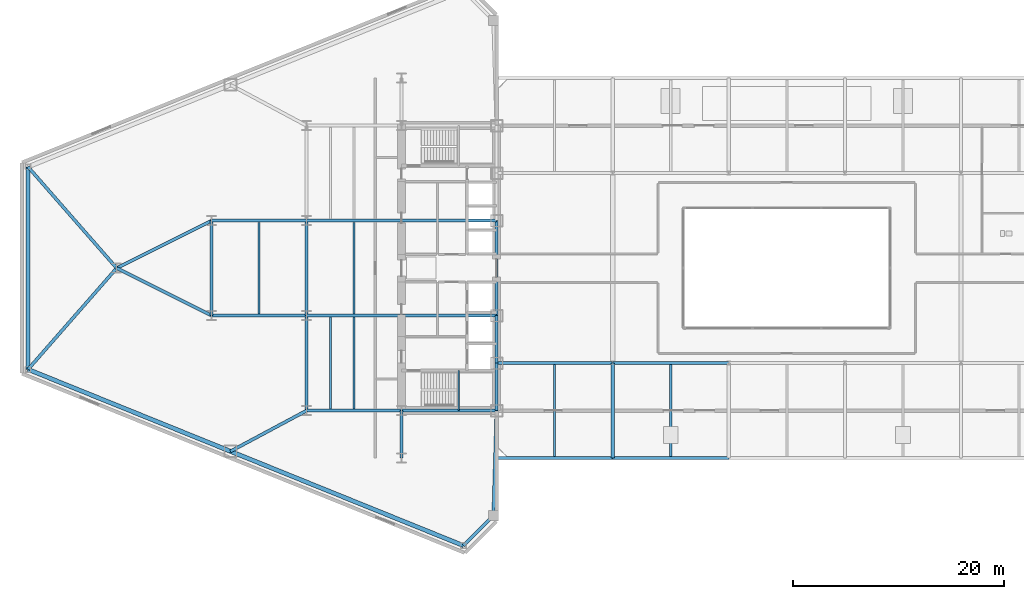
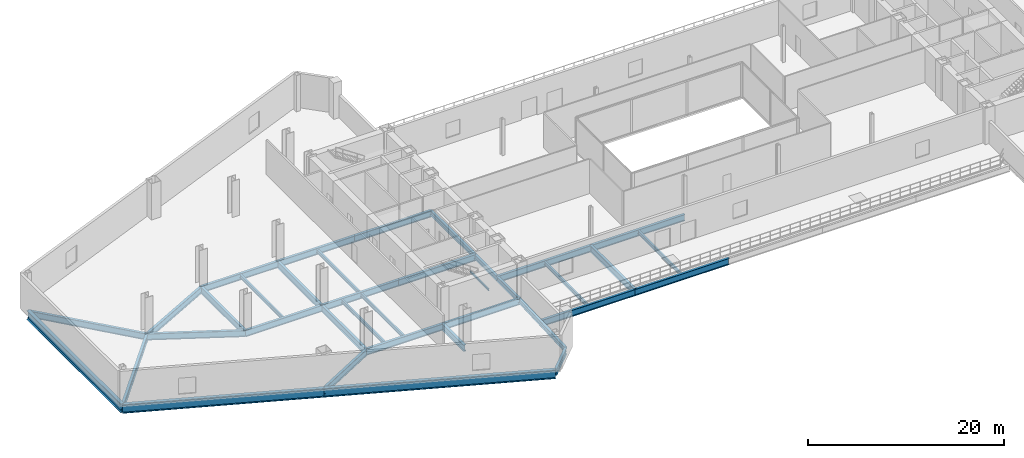
# One storey, part 9 of 23: 37 beams.
"""IFC4 building model written with IfcOpenShell, lengths in metres."""

from ifc_helpers import new_model, si_unit, direction, frame, origin, origin_2d, place, context, subcontext, project, spatial, i_section, extrude, source, transform, mapped, material, material_profile, profile_set, type_object, type_shapes, element, save


model = new_model("IFC4")

# Units and contexts
model_context = context("Model", 3, precision=1e-05, world=origin(), true_north=direction((0.0, 1.0)))
body_context = subcontext(model_context, "Body", "Model", "MODEL_VIEW")
ifc_project = project(units=[si_unit("LENGTHUNIT", "METRE"), si_unit("AREAUNIT", "SQUARE_METRE"), si_unit("VOLUMEUNIT", "CUBIC_METRE"), si_unit("PLANEANGLEUNIT", "RADIAN"), si_unit("MASSUNIT", "GRAM", prefix="KILO")], contexts=[model_context])

# Site, building, storey
site_placement = place(None, origin())
site = spatial("IfcSite", under=ifc_project, at=site_placement, CompositionType="ELEMENT")
building_placement = place(site_placement, origin())
building = spatial("IfcBuilding", under=site, at=building_placement, Name="Seokmaru Belvedere", CompositionType="ELEMENT")
storey_placement = place(building_placement, frame((0.0, 0.0, 14.39990234375)))
storey = spatial("IfcBuildingStorey", under=building, at=storey_placement, Name="L03", CompositionType="ELEMENT", Elevation=14.39990234375)

# Beams
ifc_material = material(Name="Steel SM355 (355 MPa)", Category="steel")
ifc_material_profile_1 = material_profile(ifc_material, i_section(OverallWidth=0.300048828125, OverallDepth=0.587890625, WebThickness=0.011962890625, FlangeThickness=0.02001953125, at=origin_2d()), Name="H-588x300x12x20")
ifc_profile_set_1 = profile_set([ifc_material_profile_1], Name="Steel SM355 (355 MPa)")
beam_type_1 = type_object("IfcBeamType", Name="Podium Edge Spandrel Beam H-588", PredefinedType="SPANDREL", material=ifc_profile_set_1)
shared_shape_1 = source(origin(), body_context, "Body", "SweptSolid", [
    extrude(i_section(OverallWidth=0.300048828125, OverallDepth=0.587890625, WebThickness=0.011962890625, FlangeThickness=0.02001953125, at=origin_2d()), origin(), (0.0, 0.0, 1.0), 4.5),
])
for number, where, z_axis, x_axis, name in (
    (1, (-27.5, -13.5, -0.573974609375), (0.0, 1.0, 0.0), (-1.0, 0.0, 0.0), "L03 W Portal Spine Spandrel 1"),
    (2, (-27.5, -9.0, -0.573974609375), (0.0, 1.0, 0.0), (-1.0, 0.0, 0.0), "L03 W Portal Spine Spandrel 2"),
):
    element("IfcBeam", number, at=place(storey_placement, frame(where, z_axis=z_axis, x_axis=x_axis)), inside=storey, type_object=beam_type_1, Name=name, PredefinedType="SPANDREL", context=body_context, shape_type="MappedRepresentation", body=[
        mapped(shared_shape_1, transform((0.0, 0.0, 0.0), scale=1.0)),
    ])
shared_shape_2 = source(origin(), body_context, "Body", "SweptSolid", [
    extrude(i_section(OverallWidth=0.300048828125, OverallDepth=0.587890625, WebThickness=0.011962890625, FlangeThickness=0.02001953125, at=origin_2d()), origin(), (0.0, 0.0, 1.0), 9.0),
])
beam_1_placement = place(storey_placement, frame((-27.5, -4.5, -0.573974609375), z_axis=(0.0, 1.0, 0.0), x_axis=(-1.0, 0.0, 0.0)))
element("IfcBeam", 3, at=beam_1_placement, inside=storey, type_object=beam_type_1, Name="L03 W Portal Spine Spandrel 3", PredefinedType="SPANDREL", context=body_context, shape_type="MappedRepresentation", body=[
    mapped(shared_shape_2, transform((0.0, 0.0, 0.0), scale=1.0)),
])
ifc_material_profile_2 = material_profile(ifc_material, i_section(OverallWidth=0.39990234375, OverallDepth=1.10009765625, WebThickness=0.02001953125, FlangeThickness=0.033935546875, at=origin_2d()), Name="BH-1100x400x20x34")
ifc_profile_set_2 = profile_set([ifc_material_profile_2], Name="Steel SM355 (355 MPa)")
beam_type_2 = type_object("IfcBeamType", Name="Sky-Gate Transverse Girder BH-1100", PredefinedType="BEAM", material=ifc_profile_set_2)
shared_shape_3 = source(origin(), body_context, "Body", "SweptSolid", [
    extrude(i_section(OverallWidth=0.39990234375, OverallDepth=1.10009765625, WebThickness=0.02001953125, FlangeThickness=0.033935546875, at=origin_2d()), origin(), (0.0, 0.0, 1.0), 23.811767578125),
])
beam_2_placement = place(storey_placement, frame((-30.643310546875, -26.294677734375, -0.829833984375), z_axis=(-0.92694579442, 0.375195274766, 0.0), x_axis=(-0.375195274766, -0.92694579442, 0.0)))
element("IfcBeam", 4, at=beam_2_placement, inside=storey, type_object=beam_type_2, Name="L03 W Podium Long-Span Flank Girder S-1", PredefinedType="BEAM", context=body_context, shape_type="MappedRepresentation", body=[
    mapped(shared_shape_3, transform((0.0, 0.0, 0.0), scale=1.0)),
])
shared_shape_4 = source(origin(), body_context, "Body", "SweptSolid", [
    extrude(i_section(OverallWidth=0.39990234375, OverallDepth=1.10009765625, WebThickness=0.02001953125, FlangeThickness=0.033935546875, at=origin_2d()), origin(), (0.0, 0.0, 1.0), 20.6962890625),
])
beam_3_placement = place(storey_placement, frame((-52.715576171875, -17.360595703125, -0.829833984375), z_axis=(-0.92695003666, 0.37518479385, 0.0), x_axis=(-0.37518479385, -0.92695003666, 0.0)))
element("IfcBeam", 5, at=beam_3_placement, inside=storey, type_object=beam_type_2, Name="L03 W Podium Long-Span Flank Girder S-2", PredefinedType="BEAM", context=body_context, shape_type="MappedRepresentation", body=[
    mapped(shared_shape_4, transform((0.0, 0.0, 0.0), scale=1.0)),
])
shared_shape_5 = source(origin(), body_context, "Body", "SweptSolid", [
    extrude(i_section(OverallWidth=0.39990234375, OverallDepth=1.10009765625, WebThickness=0.02001953125, FlangeThickness=0.033935546875, at=origin_2d()), origin(), (0.0, 0.0, 1.0), 19.19140625),
])
type_shapes(beam_type_2, [shared_shape_3, shared_shape_4, shared_shape_5])
beam_4_placement = place(storey_placement, frame((-71.89990234375, -9.595703125, -0.829833984375), z_axis=(0.0, 1.0, 0.0), x_axis=(-1.0, 0.0, 0.0)))
element("IfcBeam", 6, at=beam_4_placement, inside=storey, type_object=beam_type_2, Name="L03 W Podium Long-Span Apex Girder", PredefinedType="BEAM", context=body_context, shape_type="MappedRepresentation", body=[
    mapped(shared_shape_5, transform((0.0, 0.0, 0.0), scale=1.0)),
])
shared_shape_6 = source(origin(), body_context, "Body", "SweptSolid", [
    extrude(i_section(OverallWidth=0.300048828125, OverallDepth=0.587890625, WebThickness=0.011962890625, FlangeThickness=0.02001953125, at=origin_2d()), origin(), (0.0, 0.0, 1.0), 9.9560546875),
])
type_shapes(beam_type_1, [shared_shape_1, shared_shape_2, shared_shape_6])
beam_5_placement = place(storey_placement, frame((-27.800048828125, -23.451416015625, -0.573974609375), z_axis=(0.030137674137, 0.999545757131, 0.0), x_axis=(-0.999545757131, 0.030137674137, 0.0)))
element("IfcBeam", 7, at=beam_5_placement, inside=storey, type_object=beam_type_1, Name="L03 W Podium Spine Shoulder Tie S", PredefinedType="SPANDREL", context=body_context, shape_type="MappedRepresentation", body=[
    mapped(shared_shape_6, transform((0.0, 0.0, 0.0), scale=1.0)),
])
ifc_material_profile_3 = material_profile(ifc_material, i_section(OverallWidth=0.300048828125, OverallDepth=0.800048828125, WebThickness=0.013916015625, FlangeThickness=0.02587890625, at=origin_2d()), Name="H-800x300x14x26")
ifc_profile_set_3 = profile_set([ifc_material_profile_3], Name="Steel SM355 (355 MPa)")
beam_type_3 = type_object("IfcBeamType", Name="Podium Primary Girder H-800", PredefinedType="BEAM", material=ifc_profile_set_3)
shared_shape_7 = source(origin(), body_context, "Body", "SweptSolid", [
    extrude(i_section(OverallWidth=0.300048828125, OverallDepth=0.800048828125, WebThickness=0.013916015625, FlangeThickness=0.02587890625, at=origin_2d()), origin(), (0.0, 0.0, 1.0), 4.5),
])
beam_6_placement = place(storey_placement, frame((-36.5, -18.0, -0.679931640625), z_axis=(0.0, 1.0, 0.0), x_axis=(-1.0, 0.0, 0.0)))
element("IfcBeam", 8, at=beam_6_placement, inside=storey, type_object=beam_type_3, Name="L03 W Core Shoulder Girder S", PredefinedType="BEAM", context=body_context, shape_type="MappedRepresentation", body=[
    mapped(shared_shape_7, transform((0.0, 0.0, 0.0), scale=1.0)),
])
shared_shape_8 = source(origin(), body_context, "Body", "SweptSolid", [
    extrude(i_section(OverallWidth=0.300048828125, OverallDepth=0.800048828125, WebThickness=0.013916015625, FlangeThickness=0.02587890625, at=origin_2d()), origin(), (0.0, 0.0, 1.0), 9.0),
])
for number, where, z_axis, x_axis, name in (
    (9, (-45.5, -13.5, -0.679931640625), (0.0, 1.0, 0.0), (-1.0, 0.0, 0.0), "L03 W Interior Grid Girder 1"),
    (10, (-45.5, -4.5, -0.679931640625), (0.0, 1.0, 0.0), (-1.0, 0.0, 0.0), "L03 W Interior Grid Girder 2"),
    (11, (-36.5, -13.5, -0.679931640625), (1.0, 0.0, 0.0), (0.0, 1.0, 0.0), "L03 W Core Tie Girder 1"),
    (12, (-45.5, -13.5, -0.679931640625), (1.0, 0.0, 0.0), (0.0, 1.0, 0.0), "L03 W Wing Primary Girder 1"),
    (13, (-36.5, -4.5, -0.679931640625), (1.0, 0.0, 0.0), (0.0, 1.0, 0.0), "L03 W Core Tie Girder 2"),
    (14, (-45.5, -4.5, -0.679931640625), (1.0, 0.0, 0.0), (0.0, 1.0, 0.0), "L03 W Wing Primary Girder 2"),
    (15, (-36.5, 4.5, -0.679931640625), (1.0, 0.0, 0.0), (0.0, 1.0, 0.0), "L03 W Core Tie Girder 3"),
    (16, (-45.5, 4.5, -0.679931640625), (1.0, 0.0, 0.0), (0.0, 1.0, 0.0), "L03 W Wing Primary Girder 3"),
    (17, (-54.5, -4.5, -0.679931640625), (1.0, 0.0, 0.0), (0.0, 1.0, 0.0), "L03 W Outer Wing Girder 1"),
    (18, (-54.5, 4.5, -0.679931640625), (1.0, 0.0, 0.0), (0.0, 1.0, 0.0), "L03 W Outer Wing Girder 2"),
    (19, (-54.5, -4.5, -0.679931640625), (0.0, 1.0, 0.0), (-1.0, 0.0, 0.0), "L03 W Apex Frame Girder"),
    (20, (-16.5, -18.0, -0.679931640625), (0.0, 1.0, 0.0), (-1.0, 0.0, 0.0), "L03 Central Podium Transverse Girder 1-1"),
):
    element("IfcBeam", number, at=place(storey_placement, frame(where, z_axis=z_axis, x_axis=x_axis)), inside=storey, type_object=beam_type_3, Name=name, PredefinedType="BEAM", context=body_context, shape_type="MappedRepresentation", body=[
        mapped(shared_shape_8, transform((0.0, 0.0, 0.0), scale=1.0)),
    ])
shared_shape_9 = source(origin(), body_context, "Body", "SweptSolid", [
    extrude(i_section(OverallWidth=0.300048828125, OverallDepth=0.800048828125, WebThickness=0.013916015625, FlangeThickness=0.02587890625, at=origin_2d()), origin(), (0.0, 0.0, 1.0), 10.062255859375),
])
for number, where, z_axis, x_axis, name in (
    (21, (-54.5, -4.5, -0.679931640625), (-0.894427191, 0.4472135955, 0.0), (-0.4472135955, -0.894427191, 0.0), "L03 W Apex Converging Girder 1"),
    (22, (-54.5, 4.5, -0.679931640625), (-0.894427191, -0.4472135955, 0.0), (0.4472135955, -0.894427191, 0.0), "L03 W Apex Converging Girder 2"),
):
    element("IfcBeam", number, at=place(storey_placement, frame(where, z_axis=z_axis, x_axis=x_axis)), inside=storey, type_object=beam_type_3, Name=name, PredefinedType="BEAM", context=body_context, shape_type="MappedRepresentation", body=[
        mapped(shared_shape_9, transform((0.0, 0.0, 0.0), scale=1.0)),
    ])
ifc_material_profile_4 = material_profile(ifc_material, i_section(OverallWidth=0.199951171875, OverallDepth=0.449951171875, WebThickness=0.009033203125, FlangeThickness=0.013916015625, at=origin_2d()), Name="H-450x200x9x14")
ifc_profile_set_4 = profile_set([ifc_material_profile_4], Name="Steel SM355 (355 MPa)")
beam_type_4 = type_object("IfcBeamType", Name="Podium Secondary Joist H-450", PredefinedType="JOIST", material=ifc_profile_set_4)
shared_shape_10 = source(origin(), body_context, "Body", "SweptSolid", [
    extrude(i_section(OverallWidth=0.199951171875, OverallDepth=0.449951171875, WebThickness=0.009033203125, FlangeThickness=0.013916015625, at=origin_2d()), origin(), (0.0, 0.0, 1.0), 8.68994140625),
])
type_shapes(beam_type_4, [shared_shape_10])
for number, where, z_axis, x_axis, name in (
    (23, (-43.25, -13.344970703125, -0.5048828125), (0.0, 1.0, 0.0), (-1.0, 0.0, 0.0), "L03 W Wing Inner Secondary Joist 1"),
    (24, (-41.0, -13.344970703125, -0.5048828125), (0.0, 1.0, 0.0), (-1.0, 0.0, 0.0), "L03 W Secondary Floor Joist 1"),
    (25, (-41.0, -4.344970703125, -0.5048828125), (0.0, 1.0, 0.0), (-1.0, 0.0, 0.0), "L03 W Secondary Floor Joist 2"),
    (26, (-50.0, -4.344970703125, -0.5048828125), (0.0, 1.0, 0.0), (-1.0, 0.0, 0.0), "L03 W Outer Bay Secondary Joist"),
    (27, (-22.0, -17.844970703125, -0.5048828125), (0.0, 1.0, 0.0), (-1.0, 0.0, 0.0), "L03 Central Podium Secondary Joist 1-2"),
    (28, (-11.0, -17.844970703125, -0.5048828125), (0.0, 1.0, 0.0), (-1.0, 0.0, 0.0), "L03 Central Podium Secondary Joist 2-2"),
):
    element("IfcBeam", number, at=place(storey_placement, frame(where, z_axis=z_axis, x_axis=x_axis)), inside=storey, type_object=beam_type_4, Name=name, PredefinedType="JOIST", context=body_context, shape_type="MappedRepresentation", body=[
        mapped(shared_shape_10, transform((0.0, 0.0, 0.0), scale=1.0)),
    ])
shared_shape_11 = source(origin(), body_context, "Body", "SweptSolid", [
    extrude(i_section(OverallWidth=0.300048828125, OverallDepth=0.800048828125, WebThickness=0.013916015625, FlangeThickness=0.02587890625, at=origin_2d()), origin(), (0.0, 0.0, 1.0), 4.02099609375),
])
beam_7_placement = place(storey_placement, frame((-30.643310546875, -26.294677734375, -0.679931640625), z_axis=(0.707106781187, 0.707106781187, 0.0), x_axis=(-0.707106781187, 0.707106781187, 0.0)))
element("IfcBeam", 29, at=beam_7_placement, inside=storey, type_object=beam_type_3, Name="L03 W Podium South Shoulder Girder", PredefinedType="BEAM", context=body_context, shape_type="MappedRepresentation", body=[
    mapped(shared_shape_11, transform((0.0, 0.0, 0.0), scale=1.0)),
])
shared_shape_12 = source(origin(), body_context, "Body", "SweptSolid", [
    extrude(i_section(OverallWidth=0.300048828125, OverallDepth=0.800048828125, WebThickness=0.013916015625, FlangeThickness=0.02587890625, at=origin_2d()), origin(), (0.0, 0.0, 1.0), 8.183349609375),
])
beam_8_placement = place(storey_placement, frame((-52.715576171875, -17.360595703125, -0.679931640625), z_axis=(0.881728657166, 0.47175690258, 0.0), x_axis=(-0.47175690258, 0.881728657166, 0.0)))
element("IfcBeam", 30, at=beam_8_placement, inside=storey, type_object=beam_type_3, Name="L03 W Flank Radial Floor Girder S-2", PredefinedType="BEAM", context=body_context, shape_type="MappedRepresentation", body=[
    mapped(shared_shape_12, transform((0.0, 0.0, 0.0), scale=1.0)),
])
shared_shape_13 = source(origin(), body_context, "Body", "SweptSolid", [
    extrude(i_section(OverallWidth=0.300048828125, OverallDepth=0.800048828125, WebThickness=0.013916015625, FlangeThickness=0.02587890625, at=origin_2d()), origin(), (0.0, 0.0, 1.0), 12.7529296875),
])
for number, where, z_axis, x_axis, name in (
    (31, (-71.89990234375, -9.595703125, -0.679931640625), (0.658667231479, 0.752434368019, 0.0), (-0.752434368019, 0.658667231479, 0.0), "L03 W Apex Radial Floor Girder 1"),
    (32, (-71.89990234375, 9.595703125, -0.679931640625), (0.658667231479, -0.752434368019, 0.0), (0.752434368019, 0.658667231479, 0.0), "L03 W Apex Radial Floor Girder 2"),
):
    element("IfcBeam", number, at=place(storey_placement, frame(where, z_axis=z_axis, x_axis=x_axis)), inside=storey, type_object=beam_type_3, Name=name, PredefinedType="BEAM", context=body_context, shape_type="MappedRepresentation", body=[
        mapped(shared_shape_13, transform((0.0, 0.0, 0.0), scale=1.0)),
    ])
shared_shape_14 = source(origin(), body_context, "Body", "SweptSolid", [
    extrude(i_section(OverallWidth=0.300048828125, OverallDepth=0.800048828125, WebThickness=0.013916015625, FlangeThickness=0.02587890625, at=origin_2d()), origin(), (0.0, 0.0, 1.0), 11.0),
])
type_shapes(beam_type_3, [shared_shape_7, shared_shape_8, shared_shape_9, shared_shape_11, shared_shape_12, shared_shape_13, shared_shape_14])
for number, where, z_axis, x_axis, name in (
    (33, (-27.5, -18.0, -0.679931640625), (1.0, 0.0, 0.0), (0.0, 1.0, 0.0), "L03 Central Podium Girder 1-1"),
    (34, (-16.5, -18.0, -0.679931640625), (1.0, 0.0, 0.0), (0.0, 1.0, 0.0), "L03 Central Podium Girder 1-2"),
    (35, (-27.5, -9.0, -0.679931640625), (1.0, 0.0, 0.0), (0.0, 1.0, 0.0), "L03 Central Podium Girder 2-1"),
    (36, (-16.5, -9.0, -0.679931640625), (1.0, 0.0, 0.0), (0.0, 1.0, 0.0), "L03 Central Podium Girder 2-2"),
):
    element("IfcBeam", number, at=place(storey_placement, frame(where, z_axis=z_axis, x_axis=x_axis)), inside=storey, type_object=beam_type_3, Name=name, PredefinedType="BEAM", context=body_context, shape_type="MappedRepresentation", body=[
        mapped(shared_shape_14, transform((0.0, 0.0, 0.0), scale=1.0)),
    ])
ifc_material_profile_5 = material_profile(ifc_material, i_section(OverallWidth=0.125, OverallDepth=0.25, WebThickness=0.006103515625, FlangeThickness=0.009033203125, at=origin_2d()), Name="H-250x125x6x9")
ifc_profile_set_5 = profile_set([ifc_material_profile_5], Name="Steel SM355 (355 MPa)")
beam_type_5 = type_object("IfcBeamType", Name="Stair Mid-Landing Support Beam H-250", PredefinedType="JOIST", material=ifc_profile_set_5)
shared_shape_15 = source(origin(), body_context, "Body", "SweptSolid", [
    extrude(i_section(OverallWidth=0.125, OverallDepth=0.25, WebThickness=0.006103515625, FlangeThickness=0.009033203125, at=origin_2d()), origin(), (0.0, 0.0, 1.0), 3.800048828125),
])
type_shapes(beam_type_5, [shared_shape_15])
beam_9_placement = place(storey_placement, frame((-31.090087890625, -13.5, 1.925048828125), z_axis=(0.0, 1.0, 0.0), x_axis=(-1.0, 0.0, 0.0)))
element("IfcBeam", 37, at=beam_9_placement, inside=storey, type_object=beam_type_5, Name="L03 Stair ST-W1 Mid-Landing Support Beam 1", PredefinedType="JOIST", context=body_context, shape_type="MappedRepresentation", body=[
    mapped(shared_shape_15, transform((0.0, 0.0, 0.0), scale=1.0)),
])

save(model, "model.ifc")
